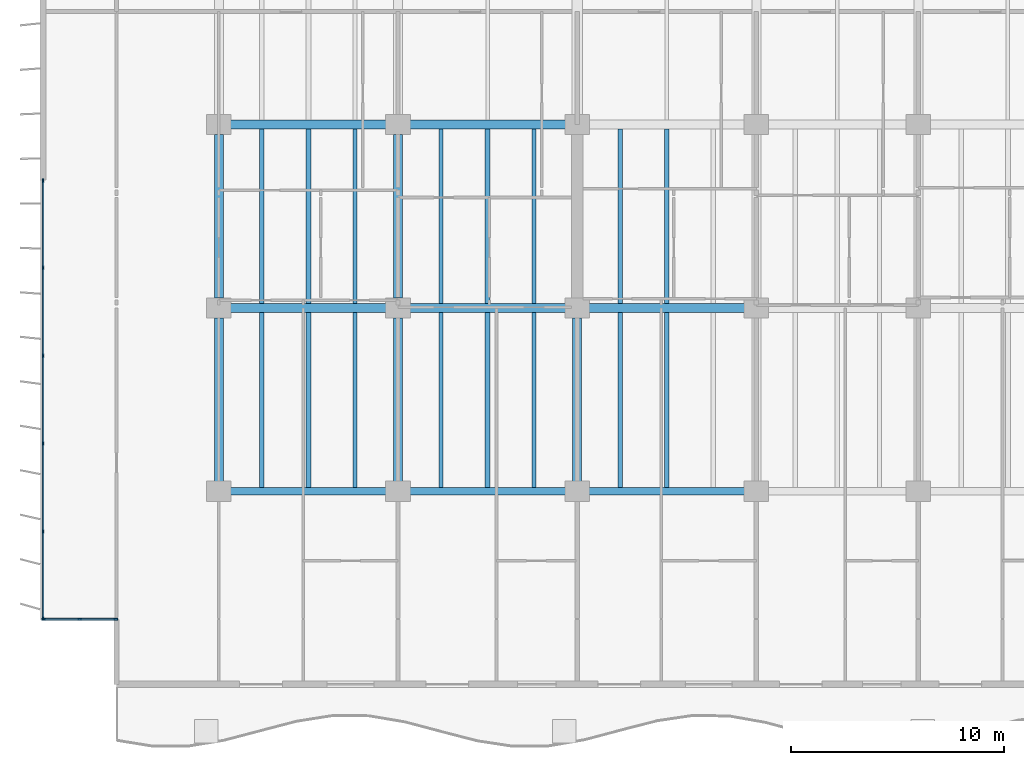
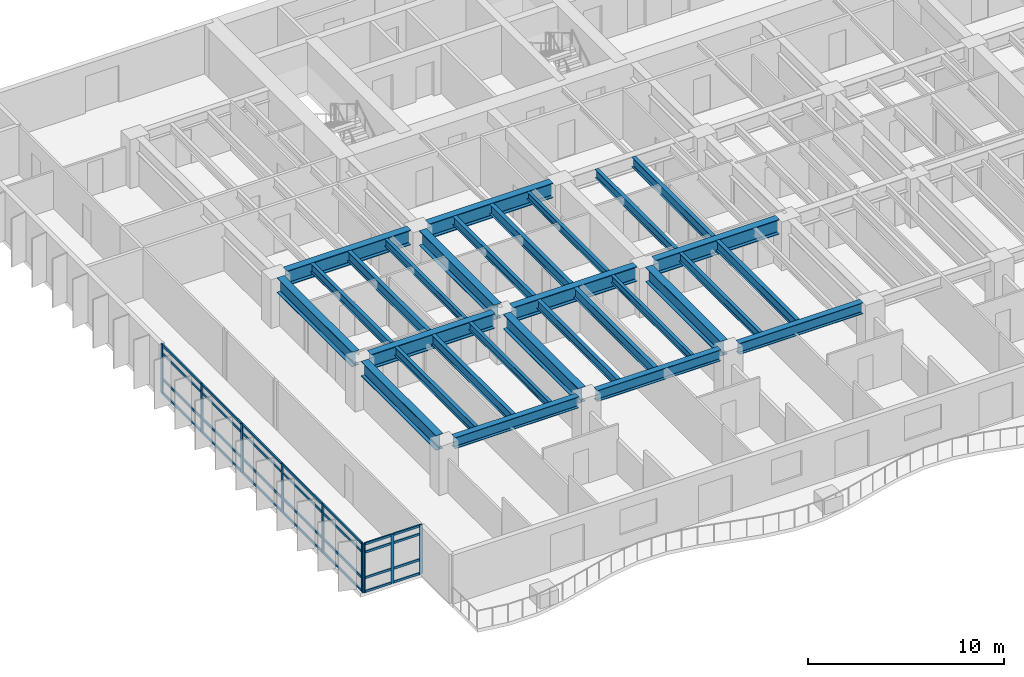
# One storey, part 2 of 19: 37 members, 29 beams, 2 elements without a shape of their own.
"""IFC4 building model written with IfcOpenShell, lengths in metres."""

from ifc_helpers import new_model, si_unit, direction, frame, origin, origin_2d, place, context, subcontext, project, spatial, rectangle, i_section, extrude, material, layer, layer_set, material_profile, profile_set, type_object, element, aggregate, save


model = new_model("IFC4")

# Units and contexts
model_context = context("Model", 3, precision=1e-05, world=origin(), true_north=direction((0.0, 1.0)))
body_context = subcontext(model_context, "Body", "Model", "MODEL_VIEW")
ifc_project = project(units=[si_unit("LENGTHUNIT", "METRE"), si_unit("AREAUNIT", "SQUARE_METRE"), si_unit("VOLUMEUNIT", "CUBIC_METRE"), si_unit("PLANEANGLEUNIT", "RADIAN"), si_unit("MASSUNIT", "GRAM", prefix="KILO")], contexts=[model_context])

# Site, building, storey
site_placement = place(None, origin())
site = spatial("IfcSite", under=ifc_project, at=site_placement, CompositionType="ELEMENT")
building_placement = place(site_placement, origin())
building = spatial("IfcBuilding", under=site, at=building_placement, Name="Caelmar Bay Residences", CompositionType="ELEMENT")
storey_placement = place(building_placement, frame((0.0, 0.0, 66.300048828125)))
storey = spatial("IfcBuildingStorey", under=building, at=storey_placement, Name="L17", CompositionType="ELEMENT", Elevation=66.300048828125)

# Beams
ifc_material_1 = material(Name="Steel ASTM A992 Grade 50", Category="steel")
ifc_material_profile_1 = material_profile(ifc_material_1, i_section(OverallWidth=0.422119140625, OverallDepth=0.925048828125, WebThickness=0.021240234375, FlangeThickness=0.03662109375, FilletRadius=0.020263671875, at=origin_2d()), Name="W36X262")
ifc_profile_set_1 = profile_set([ifc_material_profile_1], Name="Steel ASTM A992 Grade 50")
beam_type_1 = type_object("IfcBeamType", Name="BM-GRD-W36X262", PredefinedType="BEAM", material=ifc_profile_set_1)
beam_1_placement = place(storey_placement, frame((10.43994140625, 20.800048828125, 2.58740234375), z_axis=(1.0, 0.0, 0.0), x_axis=(0.0, 1.0, 0.0)))
element("IfcBeam", 1, at=beam_1_placement, inside=storey, type_object=beam_type_1, Name="L17 East-West Girder Y=20.80 (9.9-18.3)", PredefinedType="BEAM", context=body_context, shape_type="SweptSolid", body=[
    extrude(i_section(OverallWidth=0.422119140625, OverallDepth=0.925048828125, WebThickness=0.021240234375, FlangeThickness=0.03662109375, FilletRadius=0.020263671875, at=origin_2d()), origin(), (0.0, 0.0, 1.0), 7.320068359375),
])
beam_2_placement = place(storey_placement, frame((18.840087890625, 20.800048828125, 2.58740234375), z_axis=(1.0, 0.0, 0.0), x_axis=(0.0, 1.0, 0.0)))
element("IfcBeam", 2, at=beam_2_placement, inside=storey, type_object=beam_type_1, Name="L17 East-West Girder Y=20.80 (18.3-26.7)", PredefinedType="BEAM", context=body_context, shape_type="SweptSolid", body=[
    extrude(i_section(OverallWidth=0.422119140625, OverallDepth=0.925048828125, WebThickness=0.021240234375, FlangeThickness=0.03662109375, FilletRadius=0.020263671875, at=origin_2d()), origin(), (0.0, 0.0, 1.0), 7.31982421875),
])
for number, where, z_axis, x_axis, name in (
    (3, (27.239990234375, 20.800048828125, 2.58740234375), (1.0, 0.0, 0.0), (0.0, 1.0, 0.0), "L17 East-West Girder Y=20.80 (26.7-35.1)"),
    (4, (10.43994140625, 29.39990234375, 2.58740234375), (1.0, 0.0, 0.0), (0.0, 1.0, 0.0), "L17 East-West Girder Y=29.40 (9.9-18.3)"),
):
    element("IfcBeam", number, at=place(storey_placement, frame(where, z_axis=z_axis, x_axis=x_axis)), inside=storey, type_object=beam_type_1, Name=name, PredefinedType="BEAM", context=body_context, shape_type="SweptSolid", body=[
        extrude(i_section(OverallWidth=0.422119140625, OverallDepth=0.925048828125, WebThickness=0.021240234375, FlangeThickness=0.03662109375, FilletRadius=0.020263671875, at=origin_2d()), origin(), (0.0, 0.0, 1.0), 7.320068359375),
    ])
beam_3_placement = place(storey_placement, frame((18.840087890625, 29.39990234375, 2.58740234375), z_axis=(1.0, 0.0, 0.0), x_axis=(0.0, 1.0, 0.0)))
element("IfcBeam", 5, at=beam_3_placement, inside=storey, type_object=beam_type_1, Name="L17 East-West Girder Y=29.40 (18.3-26.7)", PredefinedType="BEAM", context=body_context, shape_type="SweptSolid", body=[
    extrude(i_section(OverallWidth=0.422119140625, OverallDepth=0.925048828125, WebThickness=0.021240234375, FlangeThickness=0.03662109375, FilletRadius=0.020263671875, at=origin_2d()), origin(), (0.0, 0.0, 1.0), 7.31982421875),
])
beam_4_placement = place(storey_placement, frame((9.89990234375, 12.6650390625, 2.58740234375), z_axis=(0.0, 1.0, 0.0), x_axis=(-1.0, 0.0, 0.0)))
element("IfcBeam", 6, at=beam_4_placement, inside=storey, type_object=beam_type_1, Name="L17 North-South Girder X=9.90 (12.2-20.8)", PredefinedType="BEAM", context=body_context, shape_type="SweptSolid", body=[
    extrude(i_section(OverallWidth=0.422119140625, OverallDepth=0.925048828125, WebThickness=0.021240234375, FlangeThickness=0.03662109375, FilletRadius=0.020263671875, at=origin_2d()), origin(), (0.0, 0.0, 1.0), 7.669921875),
])
beam_5_placement = place(storey_placement, frame((9.89990234375, 21.264892578125, 2.58740234375), z_axis=(0.0, 1.0, 0.0), x_axis=(-1.0, 0.0, 0.0)))
element("IfcBeam", 7, at=beam_5_placement, inside=storey, type_object=beam_type_1, Name="L17 North-South Girder X=9.90 (20.8-29.4)", PredefinedType="BEAM", context=body_context, shape_type="SweptSolid", body=[
    extrude(i_section(OverallWidth=0.422119140625, OverallDepth=0.925048828125, WebThickness=0.021240234375, FlangeThickness=0.03662109375, FilletRadius=0.020263671875, at=origin_2d()), origin(), (0.0, 0.0, 1.0), 7.670166015625),
])
beam_6_placement = place(storey_placement, frame((18.300048828125, 12.6650390625, 2.58740234375), z_axis=(0.0, 1.0, 0.0), x_axis=(-1.0, 0.0, 0.0)))
element("IfcBeam", 8, at=beam_6_placement, inside=storey, type_object=beam_type_1, Name="L17 North-South Girder X=18.30 (12.2-20.8)", PredefinedType="BEAM", context=body_context, shape_type="SweptSolid", body=[
    extrude(i_section(OverallWidth=0.422119140625, OverallDepth=0.925048828125, WebThickness=0.021240234375, FlangeThickness=0.03662109375, FilletRadius=0.020263671875, at=origin_2d()), origin(), (0.0, 0.0, 1.0), 7.669921875),
])
beam_7_placement = place(storey_placement, frame((18.300048828125, 21.264892578125, 2.58740234375), z_axis=(0.0, 1.0, 0.0), x_axis=(-1.0, 0.0, 0.0)))
element("IfcBeam", 9, at=beam_7_placement, inside=storey, type_object=beam_type_1, Name="L17 North-South Girder X=18.30 (20.8-29.4)", PredefinedType="BEAM", context=body_context, shape_type="SweptSolid", body=[
    extrude(i_section(OverallWidth=0.422119140625, OverallDepth=0.925048828125, WebThickness=0.021240234375, FlangeThickness=0.03662109375, FilletRadius=0.020263671875, at=origin_2d()), origin(), (0.0, 0.0, 1.0), 7.670166015625),
])
beam_8_placement = place(storey_placement, frame((26.699951171875, 12.6650390625, 2.58740234375), z_axis=(0.0, 1.0, 0.0), x_axis=(-1.0, 0.0, 0.0)))
element("IfcBeam", 10, at=beam_8_placement, inside=storey, type_object=beam_type_1, Name="L17 North-South Girder X=26.70 (12.2-20.8)", PredefinedType="BEAM", context=body_context, shape_type="SweptSolid", body=[
    extrude(i_section(OverallWidth=0.422119140625, OverallDepth=0.925048828125, WebThickness=0.021240234375, FlangeThickness=0.03662109375, FilletRadius=0.020263671875, at=origin_2d()), origin(), (0.0, 0.0, 1.0), 7.669921875),
])
ifc_material_profile_2 = material_profile(ifc_material_1, i_section(OverallWidth=0.19091796875, OverallDepth=0.45703125, WebThickness=0.009033203125, FlangeThickness=0.014404296875, FilletRadius=0.01025390625, at=origin_2d()), Name="W18X50")
ifc_profile_set_2 = profile_set([ifc_material_profile_2], Name="Steel ASTM A992 Grade 50")
beam_type_2 = type_object("IfcBeamType", Name="BM-JST-W18X50", PredefinedType="JOIST", material=ifc_profile_set_2)
for number, where, z_axis, x_axis, name in (
    (11, (16.283935546875, 12.3779296875, 2.821533203125), (0.0, 1.0, 0.0), (-1.0, 0.0, 0.0), "L17 Composite Floor Joist 3"),
    (12, (24.68408203125, 12.3779296875, 2.821533203125), (0.0, 1.0, 0.0), (-1.0, 0.0, 0.0), "L17 Composite Floor Joist 6"),
):
    element("IfcBeam", number, at=place(storey_placement, frame(where, z_axis=z_axis, x_axis=x_axis)), inside=storey, type_object=beam_type_2, Name=name, PredefinedType="JOIST", context=body_context, shape_type="SweptSolid", body=[
        extrude(i_section(OverallWidth=0.19091796875, OverallDepth=0.45703125, WebThickness=0.009033203125, FlangeThickness=0.014404296875, FilletRadius=0.01025390625, at=origin_2d()), origin(), (0.0, 0.0, 1.0), 8.211181640625),
    ])
for number, where, z_axis, x_axis, name in (
    (13, (16.283935546875, 21.010986328125, 2.821533203125), (0.0, 1.0, 0.0), (-1.0, 0.0, 0.0), "L17 Composite Floor Joist 24"),
    (14, (24.68408203125, 21.010986328125, 2.821533203125), (0.0, 1.0, 0.0), (-1.0, 0.0, 0.0), "L17 Composite Floor Joist 27"),
):
    element("IfcBeam", number, at=place(storey_placement, frame(where, z_axis=z_axis, x_axis=x_axis)), inside=storey, type_object=beam_type_2, Name=name, PredefinedType="JOIST", context=body_context, shape_type="SweptSolid", body=[
        extrude(i_section(OverallWidth=0.19091796875, OverallDepth=0.45703125, WebThickness=0.009033203125, FlangeThickness=0.014404296875, FilletRadius=0.01025390625, at=origin_2d()), origin(), (0.0, 0.0, 1.0), 8.177978515625),
    ])
ifc_material_profile_3 = material_profile(ifc_material_1, i_section(OverallWidth=0.2099609375, OverallDepth=0.535888671875, WebThickness=0.010986328125, FlangeThickness=0.017333984375, FilletRadius=0.0126953125, at=origin_2d()), Name="W21X68")
ifc_profile_set_3 = profile_set([ifc_material_profile_3], Name="Steel ASTM A992 Grade 50")
beam_type_3 = type_object("IfcBeamType", Name="BM-JST-W21X68", PredefinedType="JOIST", material=ifc_profile_set_3)
for number, where, z_axis, x_axis, name in (
    (15, (11.916015625, 12.3779296875, 2.781982421875), (0.0, 1.0, 0.0), (-1.0, 0.0, 0.0), "L17 Composite Floor Joist 1"),
    (16, (20.31591796875, 12.3779296875, 2.781982421875), (0.0, 1.0, 0.0), (-1.0, 0.0, 0.0), "L17 Composite Floor Joist 4"),
    (17, (28.716064453125, 12.3779296875, 2.781982421875), (0.0, 1.0, 0.0), (-1.0, 0.0, 0.0), "L17 Composite Floor Joist 7"),
):
    element("IfcBeam", number, at=place(storey_placement, frame(where, z_axis=z_axis, x_axis=x_axis)), inside=storey, type_object=beam_type_3, Name=name, PredefinedType="JOIST", context=body_context, shape_type="SweptSolid", body=[
        extrude(i_section(OverallWidth=0.2099609375, OverallDepth=0.535888671875, WebThickness=0.010986328125, FlangeThickness=0.017333984375, FilletRadius=0.0126953125, at=origin_2d()), origin(), (0.0, 0.0, 1.0), 8.211181640625),
    ])
for number, where, z_axis, x_axis, name in (
    (18, (11.916015625, 21.010986328125, 2.781982421875), (0.0, 1.0, 0.0), (-1.0, 0.0, 0.0), "L17 Composite Floor Joist 22"),
    (19, (20.31591796875, 21.010986328125, 2.781982421875), (0.0, 1.0, 0.0), (-1.0, 0.0, 0.0), "L17 Composite Floor Joist 25"),
    (20, (28.716064453125, 21.010986328125, 2.781982421875), (0.0, 1.0, 0.0), (-1.0, 0.0, 0.0), "L17 Composite Floor Joist 28"),
):
    element("IfcBeam", number, at=place(storey_placement, frame(where, z_axis=z_axis, x_axis=x_axis)), inside=storey, type_object=beam_type_3, Name=name, PredefinedType="JOIST", context=body_context, shape_type="SweptSolid", body=[
        extrude(i_section(OverallWidth=0.2099609375, OverallDepth=0.535888671875, WebThickness=0.010986328125, FlangeThickness=0.017333984375, FilletRadius=0.0126953125, at=origin_2d()), origin(), (0.0, 0.0, 1.0), 8.177978515625),
    ])
ifc_material_profile_4 = material_profile(ifc_material_1, i_section(OverallWidth=0.22900390625, OverallDepth=0.612060546875, WebThickness=0.011962890625, FlangeThickness=0.01953125, FilletRadius=0.0126953125, at=origin_2d()), Name="W24X84")
ifc_profile_set_4 = profile_set([ifc_material_profile_4], Name="Steel ASTM A992 Grade 50")
beam_type_4 = type_object("IfcBeamType", Name="BM-JST-W24X84", PredefinedType="JOIST", material=ifc_profile_set_4)
for number, where, z_axis, x_axis, name in (
    (21, (14.10009765625, 12.3779296875, 2.743896484375), (0.0, 1.0, 0.0), (-1.0, 0.0, 0.0), "L17 Composite Floor Joist 2"),
    (22, (22.5, 12.3779296875, 2.743896484375), (0.0, 1.0, 0.0), (-1.0, 0.0, 0.0), "L17 Composite Floor Joist 5"),
    (23, (30.89990234375, 12.3779296875, 2.743896484375), (0.0, 1.0, 0.0), (-1.0, 0.0, 0.0), "L17 Composite Floor Joist 8"),
):
    element("IfcBeam", number, at=place(storey_placement, frame(where, z_axis=z_axis, x_axis=x_axis)), inside=storey, type_object=beam_type_4, Name=name, PredefinedType="JOIST", context=body_context, shape_type="SweptSolid", body=[
        extrude(i_section(OverallWidth=0.22900390625, OverallDepth=0.612060546875, WebThickness=0.011962890625, FlangeThickness=0.01953125, FilletRadius=0.0126953125, at=origin_2d()), origin(), (0.0, 0.0, 1.0), 8.211181640625),
    ])
for number, where, z_axis, x_axis, name in (
    (24, (14.10009765625, 21.010986328125, 2.743896484375), (0.0, 1.0, 0.0), (-1.0, 0.0, 0.0), "L17 Composite Floor Joist 23"),
    (25, (22.5, 21.010986328125, 2.743896484375), (0.0, 1.0, 0.0), (-1.0, 0.0, 0.0), "L17 Composite Floor Joist 26"),
    (26, (30.89990234375, 21.010986328125, 2.743896484375), (0.0, 1.0, 0.0), (-1.0, 0.0, 0.0), "L17 Composite Floor Joist 29"),
):
    element("IfcBeam", number, at=place(storey_placement, frame(where, z_axis=z_axis, x_axis=x_axis)), inside=storey, type_object=beam_type_4, Name=name, PredefinedType="JOIST", context=body_context, shape_type="SweptSolid", body=[
        extrude(i_section(OverallWidth=0.22900390625, OverallDepth=0.612060546875, WebThickness=0.011962890625, FlangeThickness=0.01953125, FilletRadius=0.0126953125, at=origin_2d()), origin(), (0.0, 0.0, 1.0), 8.177978515625),
    ])
ifc_material_profile_5 = material_profile(ifc_material_1, i_section(OverallWidth=0.35595703125, OverallDepth=0.696044921875, WebThickness=0.015380859375, FlangeThickness=0.02490234375, FilletRadius=0.01513671875, at=origin_2d()), Name="W27X146")
ifc_profile_set_5 = profile_set([ifc_material_profile_5], Name="Steel ASTM A992 Grade 50")
beam_type_5 = type_object("IfcBeamType", Name="BM-SPN-W27X146", PredefinedType="SPANDREL", material=ifc_profile_set_5)
beam_9_placement = place(storey_placement, frame((10.43994140625, 12.199951171875, 2.701904296875), z_axis=(1.0, 0.0, 0.0), x_axis=(0.0, 1.0, 0.0)))
element("IfcBeam", 27, at=beam_9_placement, inside=storey, type_object=beam_type_5, Name="L17 East-West Girder Y=12.20 (9.9-18.3)", PredefinedType="SPANDREL", context=body_context, shape_type="SweptSolid", body=[
    extrude(i_section(OverallWidth=0.35595703125, OverallDepth=0.696044921875, WebThickness=0.015380859375, FlangeThickness=0.02490234375, FilletRadius=0.01513671875, at=origin_2d()), origin(), (0.0, 0.0, 1.0), 7.320068359375),
])
beam_10_placement = place(storey_placement, frame((18.840087890625, 12.199951171875, 2.701904296875), z_axis=(1.0, 0.0, 0.0), x_axis=(0.0, 1.0, 0.0)))
element("IfcBeam", 28, at=beam_10_placement, inside=storey, type_object=beam_type_5, Name="L17 East-West Girder Y=12.20 (18.3-26.7)", PredefinedType="SPANDREL", context=body_context, shape_type="SweptSolid", body=[
    extrude(i_section(OverallWidth=0.35595703125, OverallDepth=0.696044921875, WebThickness=0.015380859375, FlangeThickness=0.02490234375, FilletRadius=0.01513671875, at=origin_2d()), origin(), (0.0, 0.0, 1.0), 7.31982421875),
])
beam_11_placement = place(storey_placement, frame((27.239990234375, 12.199951171875, 2.701904296875), z_axis=(1.0, 0.0, 0.0), x_axis=(0.0, 1.0, 0.0)))
element("IfcBeam", 29, at=beam_11_placement, inside=storey, type_object=beam_type_5, Name="L17 East-West Girder Y=12.20 (26.7-35.1)", PredefinedType="SPANDREL", context=body_context, shape_type="SweptSolid", body=[
    extrude(i_section(OverallWidth=0.35595703125, OverallDepth=0.696044921875, WebThickness=0.015380859375, FlangeThickness=0.02490234375, FilletRadius=0.01513671875, at=origin_2d()), origin(), (0.0, 0.0, 1.0), 7.320068359375),
])

# Curtain wall, members
ifc_material_2 = material(Name="Anodised bronze aluminium 6063-T6 and laminated glass", Category="aluminium")
ifc_layer_1 = layer(ifc_material_2, 0.179931640625)
ifc_layer_set_1 = layer_set([ifc_layer_1], Name="Anodised bronze aluminium 6063-T6 and laminated glass")
curtain_wall_type_1 = type_object("IfcCurtainWallType", Name="CW6-NTC", PredefinedType="NOTDEFINED", material=ifc_layer_set_1)
curtain_wall_1_placement = place(storey_placement, origin())
curtain_wall_1 = element("IfcCurtainWall", 30, at=curtain_wall_1_placement, inside=storey, type_object=curtain_wall_type_1, Name="CW6 curtain wall L17", PredefinedType="NOTDEFINED")
ifc_material_3 = material(Name="Anodised bronze aluminium 6063-T6", Category="aluminium")
ifc_material_profile_6 = material_profile(ifc_material_3, rectangle(XDim=0.080078125, YDim=0.179931640625, at=origin_2d()), Name="CWM-80X180")
ifc_profile_set_6 = profile_set([ifc_material_profile_6], Name="Anodised bronze aluminium 6063-T6")
member_type_1 = type_object("IfcMemberType", Name="CWM-180", PredefinedType="MULLION", material=ifc_profile_set_6)
member_1_placement = place(storey_placement, frame((1.68994140625, 6.199951171875, 0.0), z_axis=(0.0, 0.0, 1.0), x_axis=(0.0, 1.0, 0.0)))
member_1 = element("IfcMember", 31, at=member_1_placement, type_object=member_type_1, Name="CW6 mullion 1", PredefinedType="MULLION", context=body_context, shape_type="SweptSolid", body=[
    extrude(rectangle(XDim=0.080078125, YDim=0.179931640625, at=origin_2d()), origin(), (0.0, 0.0, 1.0), 3.050048828125),
])
member_2_placement = place(storey_placement, frame((3.375, 6.199951171875, 0.0), z_axis=(0.0, 0.0, 1.0), x_axis=(0.0, 1.0, 0.0)))
member_2 = element("IfcMember", 32, at=member_2_placement, type_object=member_type_1, Name="CW6 mullion 2", PredefinedType="MULLION", context=body_context, shape_type="SweptSolid", body=[
    extrude(rectangle(XDim=0.080078125, YDim=0.179931640625, at=origin_2d()), origin(), (0.0, 0.0, 1.0), 3.050048828125),
])
member_3_placement = place(storey_placement, frame((5.06005859375, 6.199951171875, 0.0), z_axis=(0.0, 0.0, 1.0), x_axis=(0.0, 1.0, 0.0)))
member_3 = element("IfcMember", 33, at=member_3_placement, type_object=member_type_1, Name="CW6 mullion 3", PredefinedType="MULLION", context=body_context, shape_type="SweptSolid", body=[
    extrude(rectangle(XDim=0.080078125, YDim=0.179931640625, at=origin_2d()), origin(), (0.0, 0.0, 1.0), 3.050048828125),
])

ifc_layer_2 = layer(ifc_material_2, 0.179931640625)
ifc_layer_set_2 = layer_set([ifc_layer_2], Name="Anodised bronze aluminium 6063-T6 and laminated glass")
curtain_wall_type_2 = type_object("IfcCurtainWallType", Name="CW2-Z1", PredefinedType="NOTDEFINED", material=ifc_layer_set_2)
curtain_wall_2_placement = place(storey_placement, origin())
curtain_wall_2 = element("IfcCurtainWall", 34, at=curtain_wall_2_placement, inside=storey, type_object=curtain_wall_type_2, Name="CW2 curtain wall L17", PredefinedType="NOTDEFINED")
member_4_placement = place(storey_placement, frame((1.64990234375, 6.239990234375, 0.0), z_axis=(0.0, 0.0, 1.0), x_axis=(-1.0, 0.0, 0.0)))
member_4 = element("IfcMember", 35, at=member_4_placement, type_object=member_type_1, Name="CW2 mullion 1", PredefinedType="MULLION", context=body_context, shape_type="SweptSolid", body=[
    extrude(rectangle(XDim=0.080078125, YDim=0.179931640625, at=origin_2d()), origin(), (0.0, 0.0, 1.0), 3.050048828125),
])
member_5_placement = place(storey_placement, frame((1.64990234375, 10.320068359375, 0.0), z_axis=(0.0, 0.0, 1.0), x_axis=(-1.0, 0.0, 0.0)))
member_5 = element("IfcMember", 36, at=member_5_placement, type_object=member_type_1, Name="CW2 mullion 2", PredefinedType="MULLION", context=body_context, shape_type="SweptSolid", body=[
    extrude(rectangle(XDim=0.080078125, YDim=0.179931640625, at=origin_2d()), origin(), (0.0, 0.0, 1.0), 3.050048828125),
])
member_6_placement = place(storey_placement, frame((1.64990234375, 14.43994140625, 0.0), z_axis=(0.0, 0.0, 1.0), x_axis=(-1.0, 0.0, 0.0)))
member_6 = element("IfcMember", 37, at=member_6_placement, type_object=member_type_1, Name="CW2 mullion 3", PredefinedType="MULLION", context=body_context, shape_type="SweptSolid", body=[
    extrude(rectangle(XDim=0.080078125, YDim=0.179931640625, at=origin_2d()), origin(), (0.0, 0.0, 1.0), 3.050048828125),
])
member_7_placement = place(storey_placement, frame((1.64990234375, 18.56005859375, 0.0), z_axis=(0.0, 0.0, 1.0), x_axis=(-1.0, 0.0, 0.0)))
member_7 = element("IfcMember", 38, at=member_7_placement, type_object=member_type_1, Name="CW2 mullion 4", PredefinedType="MULLION", context=body_context, shape_type="SweptSolid", body=[
    extrude(rectangle(XDim=0.080078125, YDim=0.179931640625, at=origin_2d()), origin(), (0.0, 0.0, 1.0), 3.050048828125),
])
member_8_placement = place(storey_placement, frame((1.64990234375, 22.679931640625, 0.0), z_axis=(0.0, 0.0, 1.0), x_axis=(-1.0, 0.0, 0.0)))
member_8 = element("IfcMember", 39, at=member_8_placement, type_object=member_type_1, Name="CW2 mullion 5", PredefinedType="MULLION", context=body_context, shape_type="SweptSolid", body=[
    extrude(rectangle(XDim=0.080078125, YDim=0.179931640625, at=origin_2d()), origin(), (0.0, 0.0, 1.0), 3.050048828125),
])
member_9_placement = place(storey_placement, frame((1.64990234375, 26.760009765625, 0.0), z_axis=(0.0, 0.0, 1.0), x_axis=(-1.0, 0.0, 0.0)))
member_9 = element("IfcMember", 40, at=member_9_placement, type_object=member_type_1, Name="CW2 mullion 6", PredefinedType="MULLION", context=body_context, shape_type="SweptSolid", body=[
    extrude(rectangle(XDim=0.080078125, YDim=0.179931640625, at=origin_2d()), origin(), (0.0, 0.0, 1.0), 3.050048828125),
])

# Member
ifc_material_profile_7 = material_profile(ifc_material_3, rectangle(XDim=0.080078125, YDim=0.139892578125, at=origin_2d()), Name="CWT-80X140")
ifc_profile_set_7 = profile_set([ifc_material_profile_7], Name="Anodised bronze aluminium 6063-T6")
member_type_2 = type_object("IfcMemberType", Name="CWT-140", PredefinedType="NOTDEFINED", material=ifc_profile_set_7)
member_10_placement = place(storey_placement, frame((1.72998046875, 6.199951171875, 0.0400390625), z_axis=(1.0, 0.0, 0.0), x_axis=(0.0, 1.0, 0.0)))
member_10 = element("IfcMember", 41, at=member_10_placement, type_object=member_type_2, Name="CW6 transom 1.1", ObjectType="TRANSOM", PredefinedType="USERDEFINED", context=body_context, shape_type="SweptSolid", body=[
    extrude(rectangle(XDim=0.080078125, YDim=0.139892578125, at=origin_2d()), origin(), (0.0, 0.0, 1.0), 1.60498046875),
])

member_11_placement = place(storey_placement, frame((1.72998046875, 6.199951171875, 0.89990234375), z_axis=(1.0, 0.0, 0.0), x_axis=(0.0, 1.0, 0.0)))
member_11 = element("IfcMember", 42, at=member_11_placement, type_object=member_type_2, Name="CW6 transom 1.2", ObjectType="TRANSOM", PredefinedType="USERDEFINED", context=body_context, shape_type="SweptSolid", body=[
    extrude(rectangle(XDim=0.080078125, YDim=0.139892578125, at=origin_2d()), origin(), (0.0, 0.0, 1.0), 1.60498046875),
])

member_12_placement = place(storey_placement, frame((1.72998046875, 6.199951171875, 2.5), z_axis=(1.0, 0.0, 0.0), x_axis=(0.0, 1.0, 0.0)))
member_12 = element("IfcMember", 43, at=member_12_placement, type_object=member_type_2, Name="CW6 transom 1.3", ObjectType="TRANSOM", PredefinedType="USERDEFINED", context=body_context, shape_type="SweptSolid", body=[
    extrude(rectangle(XDim=0.080078125, YDim=0.139892578125, at=origin_2d()), origin(), (0.0, 0.0, 1.0), 1.60498046875),
])

member_13_placement = place(storey_placement, frame((1.72998046875, 6.199951171875, 3.010009765625), z_axis=(1.0, 0.0, 0.0), x_axis=(0.0, 1.0, 0.0)))
member_13 = element("IfcMember", 44, at=member_13_placement, type_object=member_type_2, Name="CW6 transom 1.4", ObjectType="TRANSOM", PredefinedType="USERDEFINED", context=body_context, shape_type="SweptSolid", body=[
    extrude(rectangle(XDim=0.080078125, YDim=0.139892578125, at=origin_2d()), origin(), (0.0, 0.0, 1.0), 1.60498046875),
])

member_14_placement = place(storey_placement, frame((3.4150390625, 6.199951171875, 0.0400390625), z_axis=(1.0, 0.0, 0.0), x_axis=(0.0, 1.0, 0.0)))
member_14 = element("IfcMember", 45, at=member_14_placement, type_object=member_type_2, Name="CW6 transom 2.1", ObjectType="TRANSOM", PredefinedType="USERDEFINED", context=body_context, shape_type="SweptSolid", body=[
    extrude(rectangle(XDim=0.080078125, YDim=0.139892578125, at=origin_2d()), origin(), (0.0, 0.0, 1.0), 1.60498046875),
])

member_15_placement = place(storey_placement, frame((3.4150390625, 6.199951171875, 0.89990234375), z_axis=(1.0, 0.0, 0.0), x_axis=(0.0, 1.0, 0.0)))
member_15 = element("IfcMember", 46, at=member_15_placement, type_object=member_type_2, Name="CW6 transom 2.2", ObjectType="TRANSOM", PredefinedType="USERDEFINED", context=body_context, shape_type="SweptSolid", body=[
    extrude(rectangle(XDim=0.080078125, YDim=0.139892578125, at=origin_2d()), origin(), (0.0, 0.0, 1.0), 1.60498046875),
])

member_16_placement = place(storey_placement, frame((3.4150390625, 6.199951171875, 2.5), z_axis=(1.0, 0.0, 0.0), x_axis=(0.0, 1.0, 0.0)))
member_16 = element("IfcMember", 47, at=member_16_placement, type_object=member_type_2, Name="CW6 transom 2.3", ObjectType="TRANSOM", PredefinedType="USERDEFINED", context=body_context, shape_type="SweptSolid", body=[
    extrude(rectangle(XDim=0.080078125, YDim=0.139892578125, at=origin_2d()), origin(), (0.0, 0.0, 1.0), 1.60498046875),
])

member_17_placement = place(storey_placement, frame((3.4150390625, 6.199951171875, 3.010009765625), z_axis=(1.0, 0.0, 0.0), x_axis=(0.0, 1.0, 0.0)))
member_17 = element("IfcMember", 48, at=member_17_placement, type_object=member_type_2, Name="CW6 transom 2.4", ObjectType="TRANSOM", PredefinedType="USERDEFINED", context=body_context, shape_type="SweptSolid", body=[
    extrude(rectangle(XDim=0.080078125, YDim=0.139892578125, at=origin_2d()), origin(), (0.0, 0.0, 1.0), 1.60498046875),
])

aggregate(curtain_wall_1, [member_1, member_2, member_3, member_10, member_11, member_12, member_13, member_14, member_15, member_16, member_17])

member_18_placement = place(storey_placement, frame((1.64990234375, 6.280029296875, 0.0400390625), z_axis=(0.0, 1.0, 0.0), x_axis=(-1.0, 0.0, 0.0)))
member_18 = element("IfcMember", 49, at=member_18_placement, type_object=member_type_2, Name="CW2 transom 1.1", ObjectType="TRANSOM", PredefinedType="USERDEFINED", context=body_context, shape_type="SweptSolid", body=[
    extrude(rectangle(XDim=0.080078125, YDim=0.139892578125, at=origin_2d()), origin(), (0.0, 0.0, 1.0), 4.0),
])

member_19_placement = place(storey_placement, frame((1.64990234375, 6.280029296875, 0.89990234375), z_axis=(0.0, 1.0, 0.0), x_axis=(-1.0, 0.0, 0.0)))
member_19 = element("IfcMember", 50, at=member_19_placement, type_object=member_type_2, Name="CW2 transom 1.2", ObjectType="TRANSOM", PredefinedType="USERDEFINED", context=body_context, shape_type="SweptSolid", body=[
    extrude(rectangle(XDim=0.080078125, YDim=0.139892578125, at=origin_2d()), origin(), (0.0, 0.0, 1.0), 4.0),
])

member_20_placement = place(storey_placement, frame((1.64990234375, 6.280029296875, 2.5), z_axis=(0.0, 1.0, 0.0), x_axis=(-1.0, 0.0, 0.0)))
member_20 = element("IfcMember", 51, at=member_20_placement, type_object=member_type_2, Name="CW2 transom 1.3", ObjectType="TRANSOM", PredefinedType="USERDEFINED", context=body_context, shape_type="SweptSolid", body=[
    extrude(rectangle(XDim=0.080078125, YDim=0.139892578125, at=origin_2d()), origin(), (0.0, 0.0, 1.0), 4.0),
])

member_21_placement = place(storey_placement, frame((1.64990234375, 6.280029296875, 3.010009765625), z_axis=(0.0, 1.0, 0.0), x_axis=(-1.0, 0.0, 0.0)))
member_21 = element("IfcMember", 52, at=member_21_placement, type_object=member_type_2, Name="CW2 transom 1.4", ObjectType="TRANSOM", PredefinedType="USERDEFINED", context=body_context, shape_type="SweptSolid", body=[
    extrude(rectangle(XDim=0.080078125, YDim=0.139892578125, at=origin_2d()), origin(), (0.0, 0.0, 1.0), 4.0),
])

member_22_placement = place(storey_placement, frame((1.64990234375, 10.360107421875, 0.0400390625), z_axis=(0.0, 1.0, 0.0), x_axis=(-1.0, 0.0, 0.0)))
member_22 = element("IfcMember", 53, at=member_22_placement, type_object=member_type_2, Name="CW2 transom 2.1", ObjectType="TRANSOM", PredefinedType="USERDEFINED", context=body_context, shape_type="SweptSolid", body=[
    extrude(rectangle(XDim=0.080078125, YDim=0.139892578125, at=origin_2d()), origin(), (0.0, 0.0, 1.0), 4.039794921875),
])

member_23_placement = place(storey_placement, frame((1.64990234375, 10.360107421875, 0.89990234375), z_axis=(0.0, 1.0, 0.0), x_axis=(-1.0, 0.0, 0.0)))
member_23 = element("IfcMember", 54, at=member_23_placement, type_object=member_type_2, Name="CW2 transom 2.2", ObjectType="TRANSOM", PredefinedType="USERDEFINED", context=body_context, shape_type="SweptSolid", body=[
    extrude(rectangle(XDim=0.080078125, YDim=0.139892578125, at=origin_2d()), origin(), (0.0, 0.0, 1.0), 4.039794921875),
])

member_24_placement = place(storey_placement, frame((1.64990234375, 10.360107421875, 2.5), z_axis=(0.0, 1.0, 0.0), x_axis=(-1.0, 0.0, 0.0)))
member_24 = element("IfcMember", 55, at=member_24_placement, type_object=member_type_2, Name="CW2 transom 2.3", ObjectType="TRANSOM", PredefinedType="USERDEFINED", context=body_context, shape_type="SweptSolid", body=[
    extrude(rectangle(XDim=0.080078125, YDim=0.139892578125, at=origin_2d()), origin(), (0.0, 0.0, 1.0), 4.039794921875),
])

member_25_placement = place(storey_placement, frame((1.64990234375, 10.360107421875, 3.010009765625), z_axis=(0.0, 1.0, 0.0), x_axis=(-1.0, 0.0, 0.0)))
member_25 = element("IfcMember", 56, at=member_25_placement, type_object=member_type_2, Name="CW2 transom 2.4", ObjectType="TRANSOM", PredefinedType="USERDEFINED", context=body_context, shape_type="SweptSolid", body=[
    extrude(rectangle(XDim=0.080078125, YDim=0.139892578125, at=origin_2d()), origin(), (0.0, 0.0, 1.0), 4.039794921875),
])

member_26_placement = place(storey_placement, frame((1.64990234375, 14.47998046875, 0.0400390625), z_axis=(0.0, 1.0, 0.0), x_axis=(-1.0, 0.0, 0.0)))
member_26 = element("IfcMember", 57, at=member_26_placement, type_object=member_type_2, Name="CW2 transom 3.1", ObjectType="TRANSOM", PredefinedType="USERDEFINED", context=body_context, shape_type="SweptSolid", body=[
    extrude(rectangle(XDim=0.080078125, YDim=0.139892578125, at=origin_2d()), origin(), (0.0, 0.0, 1.0), 4.0400390625),
])

member_27_placement = place(storey_placement, frame((1.64990234375, 14.47998046875, 0.89990234375), z_axis=(0.0, 1.0, 0.0), x_axis=(-1.0, 0.0, 0.0)))
member_27 = element("IfcMember", 58, at=member_27_placement, type_object=member_type_2, Name="CW2 transom 3.2", ObjectType="TRANSOM", PredefinedType="USERDEFINED", context=body_context, shape_type="SweptSolid", body=[
    extrude(rectangle(XDim=0.080078125, YDim=0.139892578125, at=origin_2d()), origin(), (0.0, 0.0, 1.0), 4.0400390625),
])

member_28_placement = place(storey_placement, frame((1.64990234375, 14.47998046875, 2.5), z_axis=(0.0, 1.0, 0.0), x_axis=(-1.0, 0.0, 0.0)))
member_28 = element("IfcMember", 59, at=member_28_placement, type_object=member_type_2, Name="CW2 transom 3.3", ObjectType="TRANSOM", PredefinedType="USERDEFINED", context=body_context, shape_type="SweptSolid", body=[
    extrude(rectangle(XDim=0.080078125, YDim=0.139892578125, at=origin_2d()), origin(), (0.0, 0.0, 1.0), 4.0400390625),
])

member_29_placement = place(storey_placement, frame((1.64990234375, 14.47998046875, 3.010009765625), z_axis=(0.0, 1.0, 0.0), x_axis=(-1.0, 0.0, 0.0)))
member_29 = element("IfcMember", 60, at=member_29_placement, type_object=member_type_2, Name="CW2 transom 3.4", ObjectType="TRANSOM", PredefinedType="USERDEFINED", context=body_context, shape_type="SweptSolid", body=[
    extrude(rectangle(XDim=0.080078125, YDim=0.139892578125, at=origin_2d()), origin(), (0.0, 0.0, 1.0), 4.0400390625),
])

member_30_placement = place(storey_placement, frame((1.64990234375, 18.60009765625, 0.0400390625), z_axis=(0.0, 1.0, 0.0), x_axis=(-1.0, 0.0, 0.0)))
member_30 = element("IfcMember", 61, at=member_30_placement, type_object=member_type_2, Name="CW2 transom 4.1", ObjectType="TRANSOM", PredefinedType="USERDEFINED", context=body_context, shape_type="SweptSolid", body=[
    extrude(rectangle(XDim=0.080078125, YDim=0.139892578125, at=origin_2d()), origin(), (0.0, 0.0, 1.0), 4.039794921875),
])

member_31_placement = place(storey_placement, frame((1.64990234375, 18.60009765625, 0.89990234375), z_axis=(0.0, 1.0, 0.0), x_axis=(-1.0, 0.0, 0.0)))
member_31 = element("IfcMember", 62, at=member_31_placement, type_object=member_type_2, Name="CW2 transom 4.2", ObjectType="TRANSOM", PredefinedType="USERDEFINED", context=body_context, shape_type="SweptSolid", body=[
    extrude(rectangle(XDim=0.080078125, YDim=0.139892578125, at=origin_2d()), origin(), (0.0, 0.0, 1.0), 4.039794921875),
])

member_32_placement = place(storey_placement, frame((1.64990234375, 18.60009765625, 2.5), z_axis=(0.0, 1.0, 0.0), x_axis=(-1.0, 0.0, 0.0)))
member_32 = element("IfcMember", 63, at=member_32_placement, type_object=member_type_2, Name="CW2 transom 4.3", ObjectType="TRANSOM", PredefinedType="USERDEFINED", context=body_context, shape_type="SweptSolid", body=[
    extrude(rectangle(XDim=0.080078125, YDim=0.139892578125, at=origin_2d()), origin(), (0.0, 0.0, 1.0), 4.039794921875),
])

member_33_placement = place(storey_placement, frame((1.64990234375, 18.60009765625, 3.010009765625), z_axis=(0.0, 1.0, 0.0), x_axis=(-1.0, 0.0, 0.0)))
member_33 = element("IfcMember", 64, at=member_33_placement, type_object=member_type_2, Name="CW2 transom 4.4", ObjectType="TRANSOM", PredefinedType="USERDEFINED", context=body_context, shape_type="SweptSolid", body=[
    extrude(rectangle(XDim=0.080078125, YDim=0.139892578125, at=origin_2d()), origin(), (0.0, 0.0, 1.0), 4.039794921875),
])

member_34_placement = place(storey_placement, frame((1.64990234375, 22.719970703125, 0.0400390625), z_axis=(0.0, 1.0, 0.0), x_axis=(-1.0, 0.0, 0.0)))
member_34 = element("IfcMember", 65, at=member_34_placement, type_object=member_type_2, Name="CW2 transom 5.1", ObjectType="TRANSOM", PredefinedType="USERDEFINED", context=body_context, shape_type="SweptSolid", body=[
    extrude(rectangle(XDim=0.080078125, YDim=0.139892578125, at=origin_2d()), origin(), (0.0, 0.0, 1.0), 4.0),
])

member_35_placement = place(storey_placement, frame((1.64990234375, 22.719970703125, 0.89990234375), z_axis=(0.0, 1.0, 0.0), x_axis=(-1.0, 0.0, 0.0)))
member_35 = element("IfcMember", 66, at=member_35_placement, type_object=member_type_2, Name="CW2 transom 5.2", ObjectType="TRANSOM", PredefinedType="USERDEFINED", context=body_context, shape_type="SweptSolid", body=[
    extrude(rectangle(XDim=0.080078125, YDim=0.139892578125, at=origin_2d()), origin(), (0.0, 0.0, 1.0), 4.0),
])

member_36_placement = place(storey_placement, frame((1.64990234375, 22.719970703125, 2.5), z_axis=(0.0, 1.0, 0.0), x_axis=(-1.0, 0.0, 0.0)))
member_36 = element("IfcMember", 67, at=member_36_placement, type_object=member_type_2, Name="CW2 transom 5.3", ObjectType="TRANSOM", PredefinedType="USERDEFINED", context=body_context, shape_type="SweptSolid", body=[
    extrude(rectangle(XDim=0.080078125, YDim=0.139892578125, at=origin_2d()), origin(), (0.0, 0.0, 1.0), 4.0),
])

member_37_placement = place(storey_placement, frame((1.64990234375, 22.719970703125, 3.010009765625), z_axis=(0.0, 1.0, 0.0), x_axis=(-1.0, 0.0, 0.0)))
member_37 = element("IfcMember", 68, at=member_37_placement, type_object=member_type_2, Name="CW2 transom 5.4", ObjectType="TRANSOM", PredefinedType="USERDEFINED", context=body_context, shape_type="SweptSolid", body=[
    extrude(rectangle(XDim=0.080078125, YDim=0.139892578125, at=origin_2d()), origin(), (0.0, 0.0, 1.0), 4.0),
])

aggregate(curtain_wall_2, [member_4, member_5, member_6, member_7, member_8, member_9, member_18, member_19, member_20, member_21, member_22, member_23, member_24, member_25, member_26, member_27, member_28, member_29, member_30, member_31, member_32, member_33, member_34, member_35, member_36, member_37])

save(model, "model.ifc")
